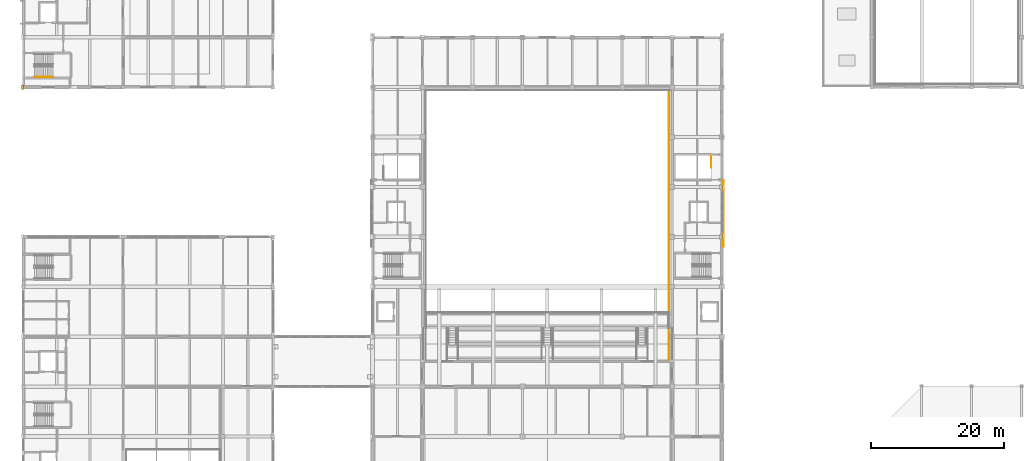
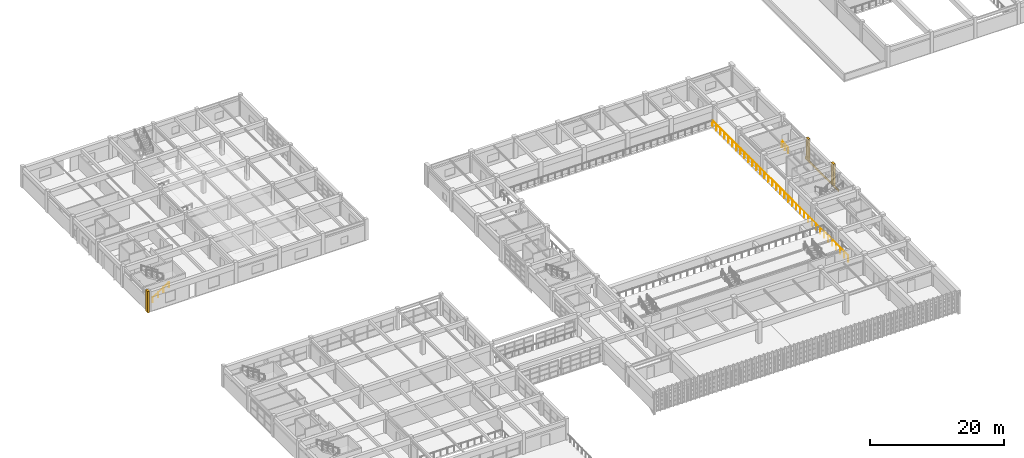
# One storey, part 96 of 101: 4 coverings, 3 railings.
"""IFC4 building model written with IfcOpenShell, lengths in metres."""

from ifc_helpers import new_model, si_unit, direction, frame, origin, origin_2d, place, context, subcontext, project, spatial, rectangle, circle, extrude, material, layer, layer_set, type_object, element, save


model = new_model("IFC4")

# Units and contexts
model_context = context("Model", 3, precision=1e-05, world=origin(), true_north=direction((0.0, 1.0)))
body_context = subcontext(model_context, "Body", "Model", "MODEL_VIEW")
ifc_project = project(units=[si_unit("LENGTHUNIT", "METRE"), si_unit("AREAUNIT", "SQUARE_METRE"), si_unit("VOLUMEUNIT", "CUBIC_METRE"), si_unit("PLANEANGLEUNIT", "RADIAN"), si_unit("MASSUNIT", "GRAM", prefix="KILO")], contexts=[model_context])

# Site, building, storey
site_placement = place(None, origin())
site = spatial("IfcSite", under=ifc_project, at=site_placement, CompositionType="ELEMENT")
building_placement = place(site_placement, origin())
building = spatial("IfcBuilding", under=site, at=building_placement, Name="Qasida Concert Hall", CompositionType="ELEMENT")
storey_placement = place(building_placement, frame((0.0, 0.0, 13.199951171875)))
storey = spatial("IfcBuildingStorey", under=building, at=storey_placement, Name="L03", CompositionType="ELEMENT", Elevation=13.199951171875)

# Coverings
ifc_material_1 = material(Name="Glazed Levantine geometric terracotta spandrel relief", Category="masonry")
ifc_layer_1 = layer(ifc_material_1, 0.050048828125, Name="Glazed Levantine geometric terracotta spandrel relief")
ifc_layer_set_1 = layer_set([ifc_layer_1], Name="Glazed Levantine geometric terracotta spandrel relief")
covering_type_1 = type_object("IfcCoveringType", Name="CV-CL-1", PredefinedType="CLADDING", material=ifc_layer_set_1)
covering_placement = place(storey_placement, frame((105.199951171875, 56.0, -0.47509765625), z_axis=(0.0, 0.0, 1.0), x_axis=(1.0, 0.0, 0.0)))
element("IfcCovering", 1, at=covering_placement, inside=storey, type_object=covering_type_1, Name="L03 terracotta spandrel frieze E03", PredefinedType="CLADDING", context=body_context, shape_type="SweptSolid", body=[
    extrude(rectangle(XDim=0.050048828125, YDim=10.0, at=origin_2d()), origin(), (0.0, 0.0, 1.0), 0.449951171875),
])
ifc_material_2 = material(Name="Projecting fluted Lebanese limestone Art Deco pilaster", Category="masonry")
ifc_layer_2 = layer(ifc_material_2, 0.35009765625, Name="Projecting fluted Lebanese limestone Art Deco pilaster")
ifc_layer_set_2 = layer_set([ifc_layer_2], Name="Projecting fluted Lebanese limestone Art Deco pilaster")
covering_type_2 = type_object("IfcCoveringType", Name="CV-PIL-650", PredefinedType="CLADDING", material=ifc_layer_set_2)
for number, where, z_axis, x_axis, name in (
    (2, (105.135009765625, 52.5, 0.0), (0.0, 0.0, 1.0), (1.0, 0.0, 0.0), "L03 fluted limestone pilaster 0053"),
    (3, (105.135009765625, 60.0, 0.0), (0.0, 0.0, 1.0), (1.0, 0.0, 0.0), "L03 fluted limestone pilaster 0067"),
    (4, (-0.135009765625, 75.0, 0.0), (0.0, 0.0, 1.0), (1.0, 0.0, 0.0), "L03 fluted limestone pilaster 0268"),
):
    element("IfcCovering", number, at=place(storey_placement, frame(where, z_axis=z_axis, x_axis=x_axis)), inside=storey, type_object=covering_type_2, Name=name, PredefinedType="CLADDING", context=body_context, shape_type="SweptSolid", body=[
        extrude(rectangle(XDim=0.35009765625, YDim=0.64990234375, at=origin_2d()), origin(), (0.0, 0.0, 1.0), 3.89990234375),
    ])

# Railings
ifc_material_3 = material(Name="Patinated architectural bronze and laminated glass infill", Category="glass")
ifc_layer_3 = layer(ifc_material_3, 0.080078125, Name="Patinated architectural bronze and laminated glass infill")
ifc_layer_set_3 = layer_set([ifc_layer_3], Name="Patinated architectural bronze and laminated glass infill")
railing_type_1 = type_object("IfcRailingType", Name="RL-GRD-1100", PredefinedType="GUARDRAIL", material=ifc_layer_set_3)
railing_1_placement = place(storey_placement, frame((97.0400390625, 74.5400390625, 0.0)))
element("IfcRailing", 5, at=railing_1_placement, inside=storey, type_object=railing_type_1, Name="L03 Symphony L03 gallery guardrail 0112", PredefinedType="GUARDRAIL", context=body_context, shape_type="SweptSolid", body=[
    extrude(circle(Radius=0.02392578125, at=origin_2d()), frame((0.0, 0.0, 1.09619140625), z_axis=(0.0, -1.0, 0.0), x_axis=(1.0, 0.0, 0.0)), (0.0, 0.0, 1.0), 40.5400390625),
    extrude(circle(Radius=0.02099609375, at=origin_2d()), origin(), (0.0, 0.0, 1.0), 1.072021484375),
    extrude(circle(Radius=0.02099609375, at=origin_2d()), frame((0.0, -1.1923828125, 0.0)), (0.0, 0.0, 1.0), 1.072021484375),
    extrude(circle(Radius=0.02099609375, at=origin_2d()), frame((0.0, -2.384765625, 0.0)), (0.0, 0.0, 1.0), 1.072021484375),
    extrude(circle(Radius=0.02099609375, at=origin_2d()), frame((0.0, -3.5771484375, 0.0)), (0.0, 0.0, 1.0), 1.072021484375),
    extrude(circle(Radius=0.02099609375, at=origin_2d()), frame((0.0, -4.76953125, 0.0)), (0.0, 0.0, 1.0), 1.072021484375),
    extrude(circle(Radius=0.02099609375, at=origin_2d()), frame((0.0, -5.961669921875, 0.0)), (0.0, 0.0, 1.0), 1.072021484375),
    extrude(circle(Radius=0.02099609375, at=origin_2d()), frame((0.0, -7.154052734375, 0.0)), (0.0, 0.0, 1.0), 1.072021484375),
    extrude(circle(Radius=0.02099609375, at=origin_2d()), frame((0.0, -8.346435546875, 0.0)), (0.0, 0.0, 1.0), 1.072021484375),
    extrude(circle(Radius=0.02099609375, at=origin_2d()), frame((0.0, -9.538818359375, 0.0)), (0.0, 0.0, 1.0), 1.072021484375),
    extrude(circle(Radius=0.02099609375, at=origin_2d()), frame((0.0, -10.731201171875, 0.0)), (0.0, 0.0, 1.0), 1.072021484375),
    extrude(circle(Radius=0.02099609375, at=origin_2d()), frame((0.0, -11.923583984375, 0.0)), (0.0, 0.0, 1.0), 1.072021484375),
    extrude(circle(Radius=0.02099609375, at=origin_2d()), frame((0.0, -13.115966796875, 0.0)), (0.0, 0.0, 1.0), 1.072021484375),
    extrude(circle(Radius=0.02099609375, at=origin_2d()), frame((0.0, -14.308349609375, 0.0)), (0.0, 0.0, 1.0), 1.072021484375),
    extrude(circle(Radius=0.02099609375, at=origin_2d()), frame((0.0, -15.50048828125, 0.0)), (0.0, 0.0, 1.0), 1.072021484375),
    extrude(circle(Radius=0.02099609375, at=origin_2d()), frame((0.0, -16.69287109375, 0.0)), (0.0, 0.0, 1.0), 1.072021484375),
    extrude(circle(Radius=0.02099609375, at=origin_2d()), frame((0.0, -17.88525390625, 0.0)), (0.0, 0.0, 1.0), 1.072021484375),
    extrude(circle(Radius=0.02099609375, at=origin_2d()), frame((0.0, -19.07763671875, 0.0)), (0.0, 0.0, 1.0), 1.072021484375),
    extrude(circle(Radius=0.02099609375, at=origin_2d()), frame((0.0, -20.27001953125, 0.0)), (0.0, 0.0, 1.0), 1.072021484375),
    extrude(circle(Radius=0.02099609375, at=origin_2d()), frame((0.0, -21.46240234375, 0.0)), (0.0, 0.0, 1.0), 1.072021484375),
    extrude(circle(Radius=0.02099609375, at=origin_2d()), frame((0.0, -22.65478515625, 0.0)), (0.0, 0.0, 1.0), 1.072021484375),
    extrude(circle(Radius=0.02099609375, at=origin_2d()), frame((0.0, -23.84716796875, 0.0)), (0.0, 0.0, 1.0), 1.072021484375),
    extrude(circle(Radius=0.02099609375, at=origin_2d()), frame((0.0, -25.03955078125, 0.0)), (0.0, 0.0, 1.0), 1.072021484375),
    extrude(circle(Radius=0.02099609375, at=origin_2d()), frame((0.0, -26.231689453125, 0.0)), (0.0, 0.0, 1.0), 1.072021484375),
    extrude(circle(Radius=0.02099609375, at=origin_2d()), frame((0.0, -27.424072265625, 0.0)), (0.0, 0.0, 1.0), 1.072021484375),
    extrude(circle(Radius=0.02099609375, at=origin_2d()), frame((0.0, -28.616455078125, 0.0)), (0.0, 0.0, 1.0), 1.072021484375),
    extrude(circle(Radius=0.02099609375, at=origin_2d()), frame((0.0, -29.808837890625, 0.0)), (0.0, 0.0, 1.0), 1.072021484375),
    extrude(circle(Radius=0.02099609375, at=origin_2d()), frame((0.0, -31.001220703125, 0.0)), (0.0, 0.0, 1.0), 1.072021484375),
    extrude(circle(Radius=0.02099609375, at=origin_2d()), frame((0.0, -32.193603515625, 0.0)), (0.0, 0.0, 1.0), 1.072021484375),
    extrude(circle(Radius=0.02099609375, at=origin_2d()), frame((0.0, -33.385986328125, 0.0)), (0.0, 0.0, 1.0), 1.072021484375),
    extrude(circle(Radius=0.02099609375, at=origin_2d()), frame((0.0, -34.578369140625, 0.0)), (0.0, 0.0, 1.0), 1.072021484375),
    extrude(circle(Radius=0.02099609375, at=origin_2d()), frame((0.0, -35.7705078125, 0.0)), (0.0, 0.0, 1.0), 1.072021484375),
    extrude(circle(Radius=0.02099609375, at=origin_2d()), frame((0.0, -36.962890625, 0.0)), (0.0, 0.0, 1.0), 1.072021484375),
    extrude(circle(Radius=0.02099609375, at=origin_2d()), frame((0.0, -38.1552734375, 0.0)), (0.0, 0.0, 1.0), 1.072021484375),
    extrude(circle(Radius=0.02099609375, at=origin_2d()), frame((0.0, -39.34765625, 0.0)), (0.0, 0.0, 1.0), 1.072021484375),
    extrude(circle(Radius=0.02099609375, at=origin_2d()), frame((0.0, -40.5400390625, 0.0)), (0.0, 0.0, 1.0), 1.072021484375),
])
railing_2_placement = place(storey_placement, frame((103.3701171875, 64.760009765625, 0.0)))
element("IfcRailing", 6, at=railing_2_placement, inside=storey, type_object=railing_type_1, Name="L03 ST-12 top well guard 1", PredefinedType="GUARDRAIL", context=body_context, shape_type="SweptSolid", body=[
    extrude(circle(Radius=0.02392578125, at=origin_2d()), frame((0.0, 0.0, 1.076171875), z_axis=(0.0, -1.0, 0.0), x_axis=(1.0, 0.0, 0.0)), (0.0, 0.0, 1.0), 1.880126953125),
    extrude(circle(Radius=0.02099609375, at=origin_2d()), origin(), (0.0, 0.0, 1.0), 1.052001953125),
    extrude(circle(Radius=0.02099609375, at=origin_2d()), frame((0.0, -0.93994140625, 0.0)), (0.0, 0.0, 1.0), 1.052001953125),
    extrude(circle(Radius=0.02099609375, at=origin_2d()), frame((0.0, -1.880126953125, 0.0)), (0.0, 0.0, 1.0), 1.052001953125),
])
ifc_material_4 = material(Name="Patinated tubular architectural bronze", Category="steel")
ifc_layer_4 = layer(ifc_material_4, 0.050048828125, Name="Patinated tubular architectural bronze")
ifc_layer_set_4 = layer_set([ifc_layer_4], Name="Patinated tubular architectural bronze")
railing_type_2 = type_object("IfcRailingType", Name="RL-HND-900", PredefinedType="HANDRAIL", material=ifc_layer_set_4)
railing_3_placement = place(storey_placement, frame((1.64990234375, 76.550048828125, 0.17724609375)))
element("IfcRailing", 7, at=railing_3_placement, inside=storey, type_object=railing_type_2, Name="L03 ST-05 stair handrail 1", PredefinedType="HANDRAIL", context=body_context, shape_type="SweptSolid", body=[
    extrude(circle(Radius=0.02392578125, at=origin_2d()), frame((0.0, 0.0, 0.8759765625), z_axis=(0.844908973607, 0.0, 0.534910110503), x_axis=(0.0, 1.0, 0.0)), (0.0, 0.0, 1.0), 3.31396484375),
    extrude(circle(Radius=0.02099609375, at=origin_2d()), origin(), (0.0, 0.0, 1.0), 0.851806640625),
    extrude(circle(Radius=0.02099609375, at=origin_2d()), frame((0.933349609375, 0.0, 0.5908203125)), (0.0, 0.0, 1.0), 0.851806640625),
    extrude(circle(Radius=0.02099609375, at=origin_2d()), frame((1.86669921875, 0.0, 1.181884765625)), (0.0, 0.0, 1.0), 0.851806640625),
    extrude(circle(Radius=0.02099609375, at=origin_2d()), frame((2.800048828125, 0.0, 1.772705078125)), (0.0, 0.0, 1.0), 0.851806640625),
])

save(model, "model.ifc")
